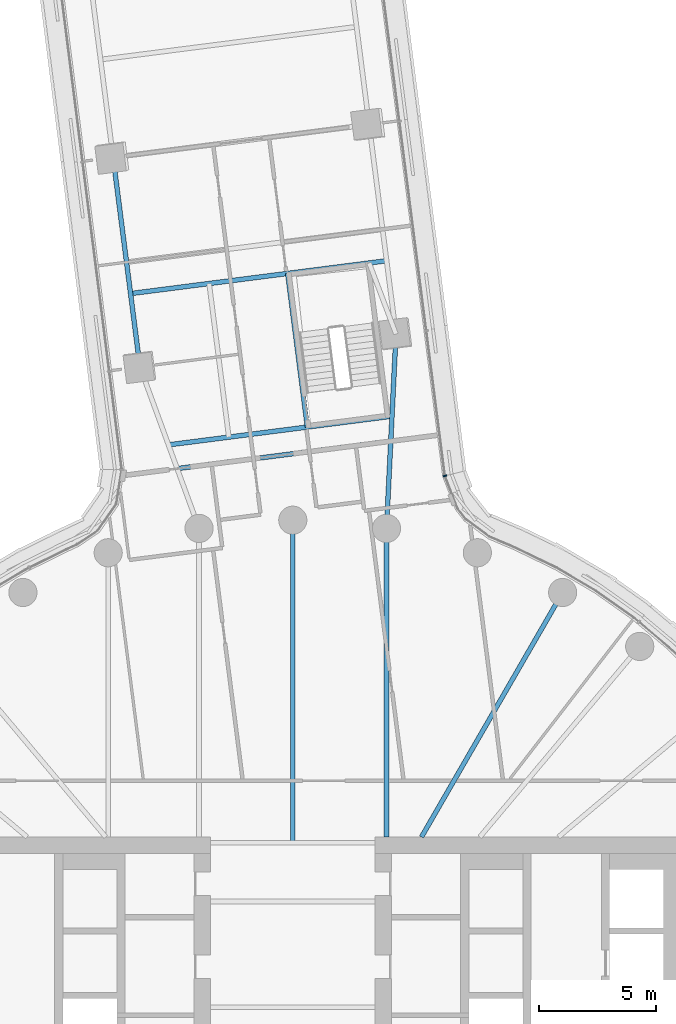
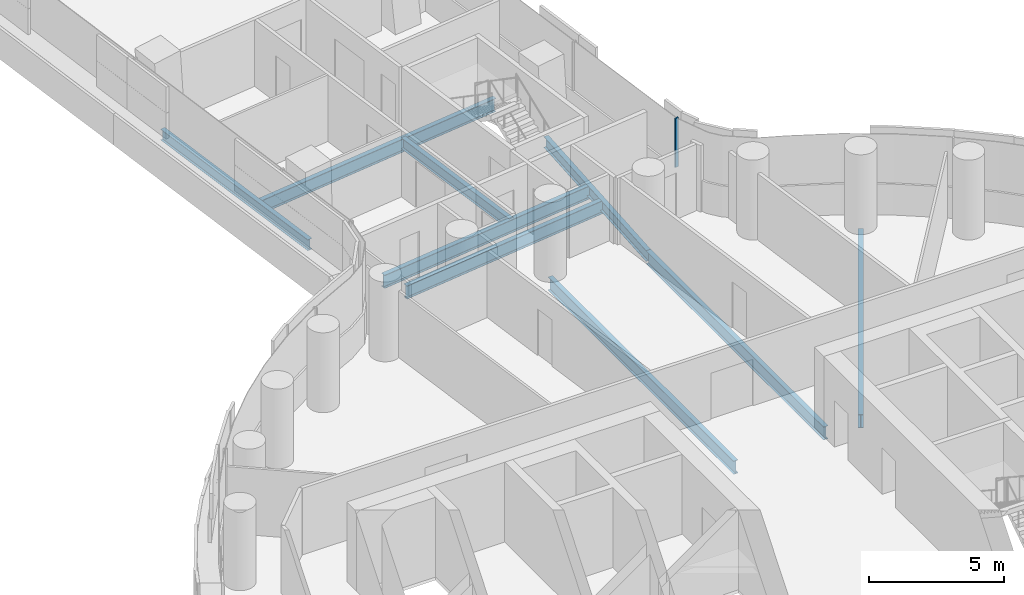
# One storey, part 14 of 31: 9 beams, 1 member, 1 element without a shape of its own.
"""IFC4 building model written with IfcOpenShell, lengths in metres."""

from ifc_helpers import new_model, si_unit, direction, frame, origin, origin_2d, place, context, subcontext, project, spatial, rectangle, i_section, extrude, material, layer, layer_set, material_profile, profile_set, type_object, element, aggregate, save


model = new_model("IFC4")

# Units and contexts
model_context = context("Model", 3, precision=1e-05, world=origin(), true_north=direction((0.0, 1.0)))
body_context = subcontext(model_context, "Body", "Model", "MODEL_VIEW")
ifc_project = project(units=[si_unit("LENGTHUNIT", "METRE"), si_unit("AREAUNIT", "SQUARE_METRE"), si_unit("VOLUMEUNIT", "CUBIC_METRE"), si_unit("PLANEANGLEUNIT", "RADIAN"), si_unit("MASSUNIT", "GRAM", prefix="KILO")], contexts=[model_context])

# Site, building, storey
site_placement = place(None, origin())
site = spatial("IfcSite", under=ifc_project, at=site_placement, CompositionType="ELEMENT")
building_placement = place(site_placement, origin())
building = spatial("IfcBuilding", under=site, at=building_placement, Name="Tamarind Cross Interchange Tower", CompositionType="ELEMENT")
storey_placement = place(building_placement, frame((0.0, 0.0, 60.25)))
storey = spatial("IfcBuildingStorey", under=building, at=storey_placement, Name="L13", CompositionType="ELEMENT", Elevation=60.25)

# Beams
ifc_material_1 = material(Name="Steel Q355B", Category="steel")
ifc_material_profile_1 = material_profile(ifc_material_1, i_section(OverallWidth=0.198974609375, OverallDepth=0.49609375, WebThickness=0.009033203125, FlangeThickness=0.013916015625, FilletRadius=0.012939453125, at=origin_2d()), Name="HN 496x199x9x14")
ifc_profile_set_1 = profile_set([ifc_material_profile_1], Name="Steel Q355B")
beam_type_1 = type_object("IfcBeamType", Name="Composite beam HN 496x199x9x14 Q355B", PredefinedType="BEAM", material=ifc_profile_set_1)
beam_1_placement = place(storey_placement, frame((-7.657470703125, 38.458984375, -0.387939453125), z_axis=(0.127279279724, -0.991866918973, 0.0), x_axis=(0.991866918973, 0.127279279724, 0.0)))
element("IfcBeam", 1, at=beam_1_placement, inside=storey, type_object=beam_type_1, Name="Beam N-edgeep3", PredefinedType="BEAM", context=body_context, shape_type="SweptSolid", body=[
    extrude(i_section(OverallWidth=0.198974609375, OverallDepth=0.49609375, WebThickness=0.009033203125, FlangeThickness=0.013916015625, FilletRadius=0.012939453125, at=origin_2d()), origin(), (0.0, 0.0, 1.0), 9.0),
])
beam_2_placement = place(storey_placement, frame((4.398681640625, 30.9326171875, -0.387939453125), z_axis=(-0.048817121783, -0.998807733561, 0.0), x_axis=(0.998807733561, -0.048817121783, 0.0)))
element("IfcBeam", 2, at=beam_2_placement, inside=storey, type_object=beam_type_1, Name="Beam N-linkem", PredefinedType="BEAM", context=body_context, shape_type="SweptSolid", body=[
    extrude(i_section(OverallWidth=0.198974609375, OverallDepth=0.49609375, WebThickness=0.009033203125, FlangeThickness=0.013916015625, FilletRadius=0.012939453125, at=origin_2d()), origin(), (0.0, 0.0, 1.0), 8.291748046875),
])
beam_3_placement = place(storey_placement, frame((0.622314453125, 26.9697265625, -0.387939453125), z_axis=(-0.127289360267, 0.991865625356, 0.0), x_axis=(-0.991865625356, -0.127289360267, 0.0)))
element("IfcBeam", 3, at=beam_3_placement, inside=storey, type_object=beam_type_1, Name="Beam N-tr1", PredefinedType="BEAM", context=body_context, shape_type="SweptSolid", body=[
    extrude(i_section(OverallWidth=0.198974609375, OverallDepth=0.49609375, WebThickness=0.009033203125, FlangeThickness=0.013916015625, FilletRadius=0.012939453125, at=origin_2d()), origin(), (0.0, 0.0, 1.0), 6.599853515625),
])
ifc_material_profile_2 = material_profile(ifc_material_1, i_section(OverallWidth=0.198974609375, OverallDepth=0.595947265625, WebThickness=0.010009765625, FlangeThickness=0.014892578125, FilletRadius=0.012939453125, at=origin_2d()), Name="HN 596x199x10x15")
ifc_profile_set_2 = profile_set([ifc_material_profile_2], Name="Steel Q355B")
beam_type_2 = type_object("IfcBeamType", Name="Composite beam HN 596x199x10x15 Q355B", PredefinedType="BEAM", material=ifc_profile_set_2)
beam_4_placement = place(storey_placement, frame((11.5, 19.918701171875, -0.43798828125), z_axis=(-0.499993565836, -0.866029118519, 0.0), x_axis=(0.866029118519, -0.499993565836, 0.0)))
element("IfcBeam", 4, at=beam_4_placement, inside=storey, type_object=beam_type_2, Name="Beam HH06", PredefinedType="BEAM", context=body_context, shape_type="SweptSolid", body=[
    extrude(i_section(OverallWidth=0.198974609375, OverallDepth=0.595947265625, WebThickness=0.010009765625, FlangeThickness=0.014892578125, FilletRadius=0.012939453125, at=origin_2d()), origin(), (0.0, 0.0, 1.0), 12.030517578125),
])
beam_5_placement = place(storey_placement, frame((3.993896484375, 22.650634765625, -0.43798828125), z_axis=(0.0, -1.0, 0.0), x_axis=(1.0, 0.0, 0.0)))
element("IfcBeam", 5, at=beam_5_placement, inside=storey, type_object=beam_type_2, Name="Beam HH08", PredefinedType="BEAM", context=body_context, shape_type="SweptSolid", body=[
    extrude(i_section(OverallWidth=0.198974609375, OverallDepth=0.595947265625, WebThickness=0.010009765625, FlangeThickness=0.014892578125, FilletRadius=0.012939453125, at=origin_2d()), origin(), (0.0, 0.0, 1.0), 13.150634765625),
])
beam_6_placement = place(storey_placement, frame((0.0, 23.0, -0.43798828125), z_axis=(0.0, -1.0, 0.0), x_axis=(1.0, 0.0, 0.0)))
element("IfcBeam", 6, at=beam_6_placement, inside=storey, type_object=beam_type_2, Name="Beam HH09", PredefinedType="BEAM", context=body_context, shape_type="SweptSolid", body=[
    extrude(i_section(OverallWidth=0.198974609375, OverallDepth=0.595947265625, WebThickness=0.010009765625, FlangeThickness=0.014892578125, FilletRadius=0.012939453125, at=origin_2d()), origin(), (0.0, 0.0, 1.0), 13.75),
])
ifc_material_profile_3 = material_profile(ifc_material_1, i_section(OverallWidth=0.199951171875, OverallDepth=0.60009765625, WebThickness=0.010986328125, FlangeThickness=0.01708984375, FilletRadius=0.012939453125, at=origin_2d()), Name="HN 600x200x11x17")
ifc_profile_set_3 = profile_set([ifc_material_profile_3], Name="Steel Q355B")
beam_type_3 = type_object("IfcBeamType", Name="Composite beam HN 600x200x11x17 Q355B", PredefinedType="BEAM", material=ifc_profile_set_3)
beam_7_placement = place(storey_placement, frame((4.2275390625, 27.432373046875, -0.43994140625), z_axis=(-0.991863316825, -0.127307347535, 0.0), x_axis=(0.127307347535, -0.991863316825, 0.0)))
element("IfcBeam", 7, at=beam_7_placement, inside=storey, type_object=beam_type_3, Name="Beam N-x268", PredefinedType="BEAM", context=body_context, shape_type="SweptSolid", body=[
    extrude(i_section(OverallWidth=0.199951171875, OverallDepth=0.60009765625, WebThickness=0.010986328125, FlangeThickness=0.01708984375, FilletRadius=0.012939453125, at=origin_2d()), origin(), (0.0, 0.0, 1.0), 9.60205078125),
])
beam_8_placement = place(storey_placement, frame((3.99755859375, 34.056884765625, -0.43994140625), z_axis=(-0.991865865097, -0.127287492142, 0.0), x_axis=(0.127287492142, -0.991865865097, 0.0)))
element("IfcBeam", 8, at=beam_8_placement, inside=storey, type_object=beam_type_3, Name="Beam N-x334", PredefinedType="BEAM", context=body_context, shape_type="SweptSolid", body=[
    extrude(i_section(OverallWidth=0.199951171875, OverallDepth=0.60009765625, WebThickness=0.010986328125, FlangeThickness=0.01708984375, FilletRadius=0.012939453125, at=origin_2d()), origin(), (0.0, 0.0, 1.0), 10.999755859375),
])
beam_9_placement = place(storey_placement, frame((4.175537109375, 26.3671875, -0.43994140625), z_axis=(-0.991863585253, -0.127305256174, 0.0), x_axis=(0.127305256174, -0.991863585253, 0.0)))
element("IfcBeam", 9, at=beam_9_placement, inside=storey, type_object=beam_type_3, Name="Beam N-x258", PredefinedType="BEAM", context=body_context, shape_type="SweptSolid", body=[
    extrude(i_section(OverallWidth=0.199951171875, OverallDepth=0.60009765625, WebThickness=0.010986328125, FlangeThickness=0.01708984375, FilletRadius=0.012939453125, at=origin_2d()), origin(), (0.0, 0.0, 1.0), 9.176513671875),
])

# Curtain wall, member
ifc_material_2 = material(Name="Aluminium 6063-T6", Category="aluminium")
ifc_layer = layer(ifc_material_2, 0.159912109375)
ifc_layer_set = layer_set([ifc_layer], Name="Aluminium 6063-T6")
curtain_wall_type = type_object("IfcCurtainWallType", Name="Office curtain wall, 9.0 m bays", PredefinedType="NOTDEFINED", material=ifc_layer_set)
curtain_wall_placement = place(storey_placement, origin())
curtain_wall = element("IfcCurtainWall", 10, at=curtain_wall_placement, inside=storey, type_object=curtain_wall_type, Name="CWS-L13-11", PredefinedType="NOTDEFINED")
ifc_material_profile_4 = material_profile(ifc_material_2, rectangle(XDim=0.06005859375, YDim=0.159912109375, at=origin_2d()), Name="Mullion CW1")
ifc_profile_set_4 = profile_set([ifc_material_profile_4], Name="Aluminium 6063-T6")
member_type = type_object("IfcMemberType", Name="Mullion CW1", PredefinedType="MULLION", material=ifc_profile_set_4)
member_placement = place(storey_placement, frame((6.485107421875, 24.8876953125, 1.39990234375), z_axis=(0.0, 0.0, 1.0), x_axis=(-0.246709352126, 0.969089518865, 0.0)))
member = element("IfcMember", 11, at=member_placement, type_object=member_type, Name="CWM-L13-11-00", PredefinedType="MULLION", context=body_context, shape_type="SweptSolid", body=[
    extrude(rectangle(XDim=0.06005859375, YDim=0.159912109375, at=origin_2d()), origin(), (0.0, 0.0, 1.0), 2.210205078125),
])
aggregate(curtain_wall, [member])

save(model, "model.ifc")
